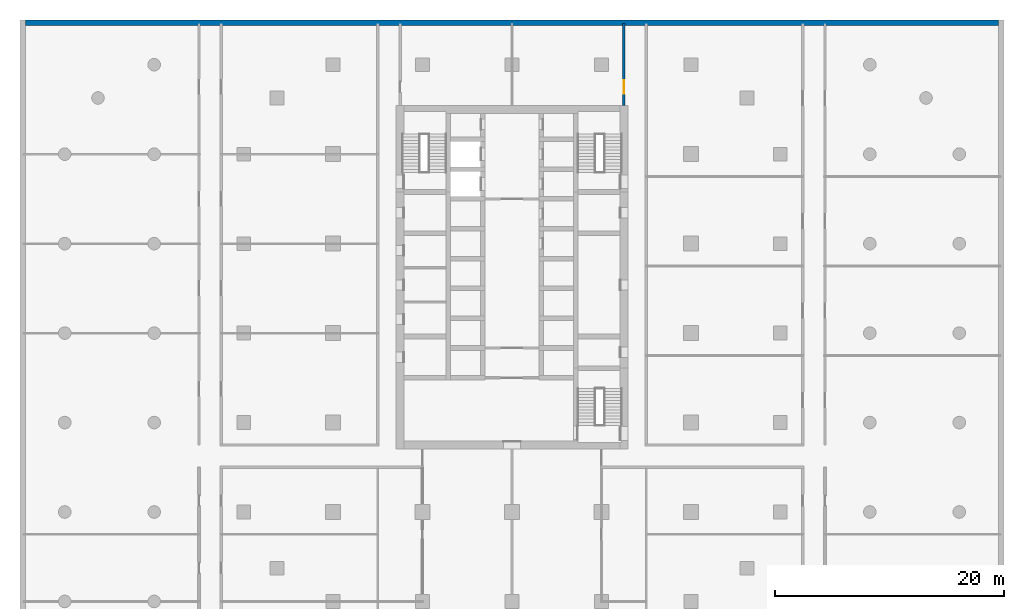
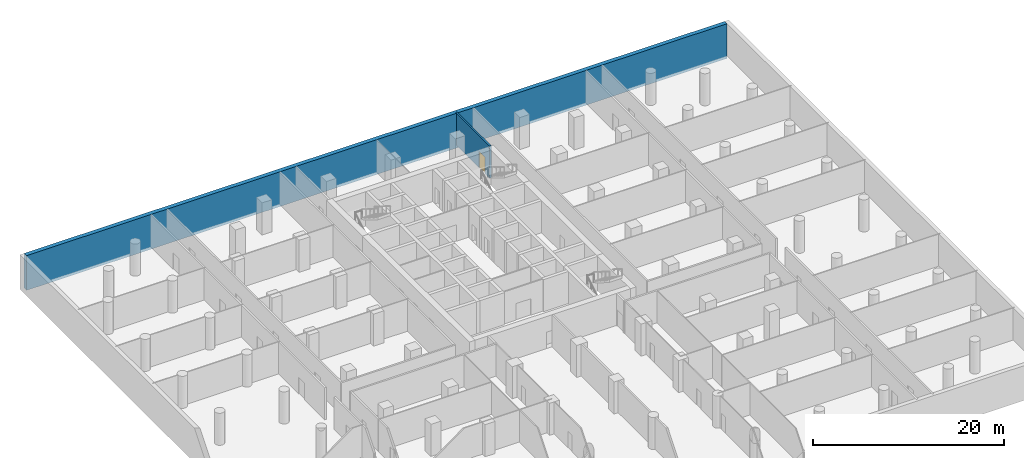
# One storey, part 10 of 14: 2 walls, 1 door, 1 opening.
"""IFC4 building model written with IfcOpenShell, lengths in metres."""

from ifc_helpers import new_model, si_unit, direction, frame, frame_2d, origin, place, context, subcontext, project, spatial, rectangle, extrude, material, layer, layer_set, type_object, element, fill, save


model = new_model("IFC4")

# Units and contexts
model_context = context("Model", 3, precision=1e-05, world=origin(), true_north=direction((0.0, 1.0)))
body_context = subcontext(model_context, "Body", "Model", "MODEL_VIEW")
ifc_project = project(units=[si_unit("LENGTHUNIT", "METRE"), si_unit("AREAUNIT", "SQUARE_METRE"), si_unit("VOLUMEUNIT", "CUBIC_METRE"), si_unit("PLANEANGLEUNIT", "RADIAN"), si_unit("MASSUNIT", "GRAM", prefix="KILO")], contexts=[model_context])

# Site, building, storey
site_placement = place(None, origin())
site = spatial("IfcSite", under=ifc_project, at=site_placement, CompositionType="ELEMENT")
building_placement = place(site_placement, origin())
building = spatial("IfcBuilding", under=site, at=building_placement, Name="Ludao Terraces", CompositionType="ELEMENT")
storey_placement = place(building_placement, frame((0.0, 0.0, -4.5)))
storey = spatial("IfcBuildingStorey", under=building, at=storey_placement, Name="B1", CompositionType="ELEMENT", Elevation=-4.5)

# Wall
ifc_material_1 = material(Name="Concrete C40", Category="concrete")
ifc_layer_1 = layer(ifc_material_1, 0.5)
ifc_layer_set_1 = layer_set([ifc_layer_1], Name="Basement wall 500 C40")
wall_type_1 = type_object("IfcWallType", Name="Basement wall 500 C40", PredefinedType="SOLIDWALL", material=ifc_layer_set_1)
wall_1_placement = place(storey_placement, frame((42.60009765625, 92.050048828125, -0.35009765625), z_axis=(0.0, 0.0, 1.0), x_axis=(1.0, 0.0, 0.0)))
element("IfcWall", 1, at=wall_1_placement, inside=storey, type_object=wall_type_1, Name="Basement wall N B1", PredefinedType="SOLIDWALL", context=body_context, shape_type="SweptSolid", body=[
    extrude(rectangle(XDim=84.7998046875, YDim=0.5, at=frame_2d((42.39990234375, 0.0))), origin(), (0.0, 0.0, 1.0), 4.4501953125),
])

# Wall, opening, door
ifc_material_2 = material(Name="Autoclaved aerated concrete block B06 A3.5", Category="concrete")
ifc_layer_2 = layer(ifc_material_2, 0.199951171875)
ifc_layer_set_2 = layer_set([ifc_layer_2], Name="INT Entrance wall 200")
wall_type_2 = type_object("IfcWallType", Name="INT Entrance wall 200", PredefinedType="PARTITIONING", material=ifc_layer_set_2)
wall_2_placement = place(storey_placement, frame((94.75, 84.85009765625, 0.0), z_axis=(0.0, 0.0, 1.0), x_axis=(0.0, 1.0, 0.0)))
wall_2 = element("IfcWall", 2, at=wall_2_placement, inside=storey, type_object=wall_type_2, Name="PW-B1-PW052", PredefinedType="PARTITIONING", context=body_context, shape_type="SweptSolid", body=[
    extrude(rectangle(XDim=7.14990234375, YDim=0.199951171875, at=frame_2d((3.574951171875, 0.0))), origin(), (0.0, 0.0, 1.0), 4.10009765625),
])
opening_placement = place(wall_2_placement, frame((1.0, 0.0, 0.0)))
opening = element("IfcOpeningElement", 3, at=opening_placement, cuts=wall_2, Name="Opening B1-066", PredefinedType="OPENING", context=body_context, shape_type="SweptSolid", body=[
    extrude(rectangle(XDim=1.199951171875, YDim=2.10009765625, at=frame_2d((0.60009765625, 1.050048828125))), frame((0.0, 0.10986328125, 0.0), z_axis=(0.0, -1.0, 0.0), x_axis=(1.0, 0.0, 0.0)), (0.0, 0.0, 1.0), 0.219970703125),
])
ifc_material_3 = material(Name="Timber door leaf", Category="wood")
door_type = type_object("IfcDoorType", Name="INT Double door 1200", OperationType="DOUBLE_DOOR_SINGLE_SWING", PredefinedType="DOOR", material=ifc_material_3)
door_placement = place(opening_placement, origin())
door = element("IfcDoor", 4, at=door_placement, inside=storey, type_object=door_type, Name="DOOR 066", OperationType="DOUBLE_DOOR_SINGLE_SWING", OverallHeight=2.10009765625, OverallWidth=1.199951171875, PredefinedType="DOOR", context=body_context, shape_type="SweptSolid", body=[
    extrude(rectangle(XDim=1.199951171875, YDim=2.10009765625, at=frame_2d((0.60009765625, 1.050048828125))), frame((0.0, 0.02490234375, 0.0), z_axis=(0.0, -1.0, 0.0), x_axis=(1.0, 0.0, 0.0)), (0.0, 0.0, 1.0), 0.050048828125),
])
fill(opening, door)

save(model, "model.ifc")
